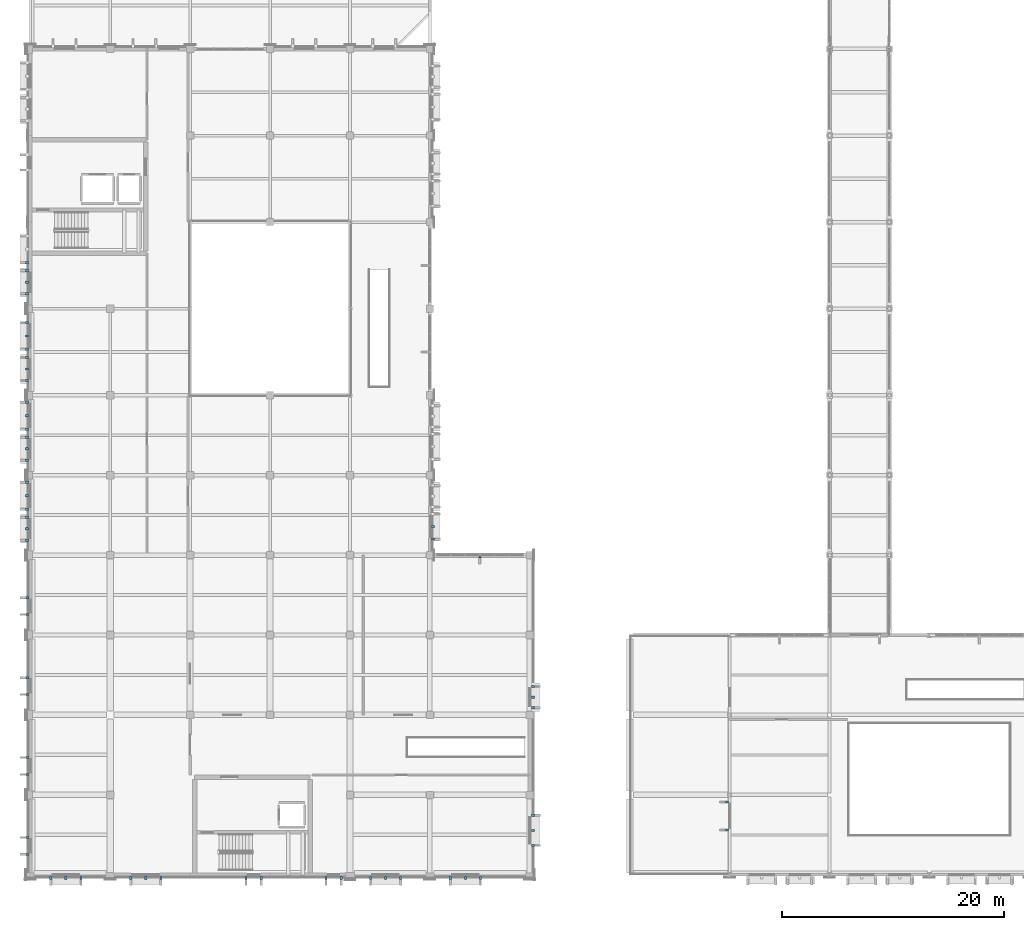
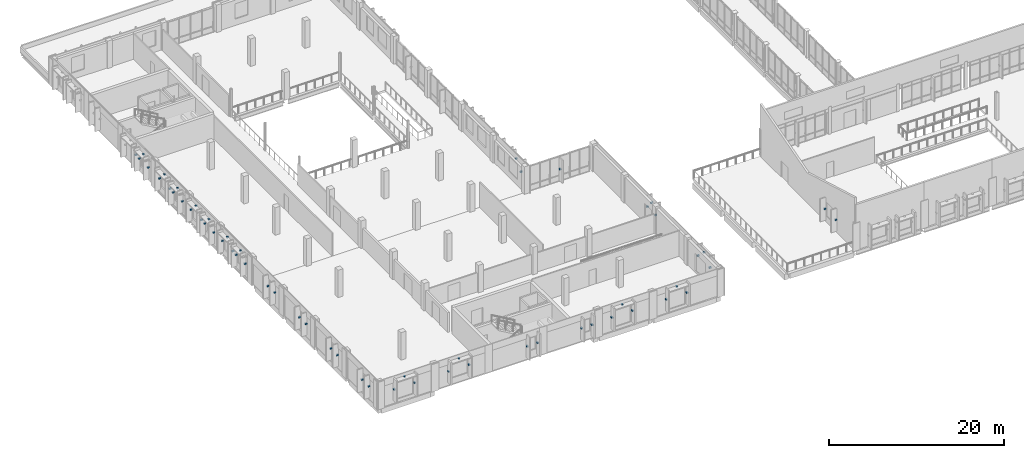
# One storey, part 65 of 85: 57 discrete accessories.
"""IFC4 building model written with IfcOpenShell, lengths in metres."""

from ifc_helpers import new_model, si_unit, direction, frame, origin, origin_2d, place, context, subcontext, project, spatial, rectangle, extrude, material, type_object, element, save


model = new_model("IFC4")

# Units and contexts
model_context = context("Model", 3, precision=1e-05, world=origin(), true_north=direction((0.0, 1.0)))
body_context = subcontext(model_context, "Body", "Model", "MODEL_VIEW")
ifc_project = project(units=[si_unit("LENGTHUNIT", "METRE"), si_unit("AREAUNIT", "SQUARE_METRE"), si_unit("VOLUMEUNIT", "CUBIC_METRE"), si_unit("PLANEANGLEUNIT", "RADIAN"), si_unit("MASSUNIT", "GRAM", prefix="KILO")], contexts=[model_context])

# Site, building, storey
site_placement = place(None, origin())
site = spatial("IfcSite", under=ifc_project, at=site_placement, CompositionType="ELEMENT")
building_placement = place(site_placement, origin())
building = spatial("IfcBuilding", under=site, at=building_placement, Name="Vervanel Yard Central Library", CompositionType="ELEMENT")
storey_placement = place(building_placement, frame((0.0, 0.0, 5.10009765625)))
storey = spatial("IfcBuildingStorey", under=building, at=storey_placement, Name="L01", CompositionType="ELEMENT", Elevation=5.10009765625)

# Discrete accessories
ifc_material = material(Name="Steel ASTM A572 Grade 50", Category="steel")
discrete_accessory_type = type_object("IfcDiscreteAccessoryType", Name="Stainless Solar Fin Fixing Bracket", PredefinedType="BRACKET", material=ifc_material)
for number, where, z_axis, x_axis, name in (
    (1, (-0.2900390625, 30.139892578125, 1.82470703125), (0.0, 0.0, 1.0), (0.0, 1.0, 0.0), "L01 Solar Fin Bracket 259"),
    (2, (-0.2900390625, 32.2099609375, 1.82470703125), (0.0, 0.0, 1.0), (0.0, 1.0, 0.0), "L01 Solar Fin Bracket 260"),
    (3, (-0.2900390625, 31.175048828125, 3.0), (0.0, 0.0, 1.0), (0.0, 1.0, 0.0), "L01 Sunhood Bracket 36"),
    (4, (-0.2900390625, 32.93994140625, 1.875), (0.0, 0.0, 1.0), (0.0, 1.0, 0.0), "L01 Solar Fin Bracket 261"),
    (5, (-0.2900390625, 35.360107421875, 1.875), (0.0, 0.0, 1.0), (0.0, 1.0, 0.0), "L01 Solar Fin Bracket 262"),
    (6, (-0.2900390625, 34.14990234375, 3.10009765625), (0.0, 0.0, 1.0), (0.0, 1.0, 0.0), "L01 Sunhood Bracket 37"),
    (7, (-0.2900390625, 37.340087890625, 1.82470703125), (0.0, 0.0, 1.0), (0.0, 1.0, 0.0), "L01 Solar Fin Bracket 263"),
    (8, (-0.2900390625, 39.409912109375, 1.82470703125), (0.0, 0.0, 1.0), (0.0, 1.0, 0.0), "L01 Solar Fin Bracket 264"),
    (9, (-0.2900390625, 38.375, 3.0), (0.0, 0.0, 1.0), (0.0, 1.0, 0.0), "L01 Sunhood Bracket 38"),
    (10, (-0.2900390625, 40.139892578125, 1.875), (0.0, 0.0, 1.0), (0.0, 1.0, 0.0), "L01 Solar Fin Bracket 265"),
    (11, (-0.2900390625, 42.56005859375, 1.875), (0.0, 0.0, 1.0), (0.0, 1.0, 0.0), "L01 Solar Fin Bracket 266"),
    (12, (-0.2900390625, 41.35009765625, 3.10009765625), (0.0, 0.0, 1.0), (0.0, 1.0, 0.0), "L01 Sunhood Bracket 39"),
    (13, (-0.2900390625, 44.5400390625, 1.82470703125), (0.0, 0.0, 1.0), (0.0, 1.0, 0.0), "L01 Solar Fin Bracket 267"),
    (14, (-0.2900390625, 46.610107421875, 1.82470703125), (0.0, 0.0, 1.0), (0.0, 1.0, 0.0), "L01 Solar Fin Bracket 268"),
    (15, (-0.2900390625, 45.574951171875, 3.0), (0.0, 0.0, 1.0), (0.0, 1.0, 0.0), "L01 Sunhood Bracket 40"),
    (16, (-0.2900390625, 47.340087890625, 1.875), (0.0, 0.0, 1.0), (0.0, 1.0, 0.0), "L01 Solar Fin Bracket 269"),
    (17, (-0.2900390625, 49.760009765625, 1.875), (0.0, 0.0, 1.0), (0.0, 1.0, 0.0), "L01 Solar Fin Bracket 270"),
    (18, (-0.2900390625, 48.550048828125, 3.10009765625), (0.0, 0.0, 1.0), (0.0, 1.0, 0.0), "L01 Sunhood Bracket 41"),
    (19, (-0.2900390625, 52.340087890625, 1.82470703125), (0.0, 0.0, 1.0), (0.0, 1.0, 0.0), "L01 Solar Fin Bracket 271"),
    (20, (-0.2900390625, 54.409912109375, 1.82470703125), (0.0, 0.0, 1.0), (0.0, 1.0, 0.0), "L01 Solar Fin Bracket 272"),
    (21, (-0.2900390625, 53.375, 3.0), (0.0, 0.0, 1.0), (0.0, 1.0, 0.0), "L01 Sunhood Bracket 42"),
    (22, (-0.2900390625, 55.139892578125, 1.875), (0.0, 0.0, 1.0), (0.0, 1.0, 0.0), "L01 Solar Fin Bracket 273"),
    (23, (36.27001953125, 30.239990234375, 1.7998046875), (0.0, 0.0, 1.0), (0.0, 1.0, 0.0), "L01 Solar Fin Bracket 281"),
    (24, (36.27001953125, 31.375, 2.94970703125), (0.0, 0.0, 1.0), (0.0, 1.0, 0.0), "L01 Sunhood Bracket 46"),
    (25, (62.75, 4.0400390625, 1.72509765625), (0.0, 0.0, 1.0), (0.0, 1.0, 0.0), "L01 Solar Fin Bracket 606"),
    (26, (62.75, 6.56005859375, 1.72509765625), (0.0, 0.0, 1.0), (0.0, 1.0, 0.0), "L01 Solar Fin Bracket 607"),
    (27, (1.840087890625, -0.2900390625, 1.94970703125), (0.0, 0.0, 1.0), (1.0, 0.0, 0.0), "L01 Solar Fin Bracket 634"),
    (28, (4.56005859375, -0.2900390625, 1.94970703125), (0.0, 0.0, 1.0), (1.0, 0.0, 0.0), "L01 Solar Fin Bracket 635"),
    (29, (3.199951171875, -0.2900390625, 3.25), (0.0, 0.0, 1.0), (1.0, 0.0, 0.0), "L01 Sunhood Bracket 128"),
    (30, (9.0400390625, -0.2900390625, 1.94970703125), (0.0, 0.0, 1.0), (1.0, 0.0, 0.0), "L01 Solar Fin Bracket 636"),
    (31, (11.760009765625, -0.2900390625, 1.94970703125), (0.0, 0.0, 1.0), (1.0, 0.0, 0.0), "L01 Solar Fin Bracket 637"),
    (32, (10.39990234375, -0.2900390625, 3.25), (0.0, 0.0, 1.0), (1.0, 0.0, 0.0), "L01 Sunhood Bracket 129"),
    (33, (19.43994140625, -0.2900390625, 1.82470703125), (0.0, 0.0, 1.0), (1.0, 0.0, 0.0), "L01 Solar Fin Bracket 638"),
    (34, (20.81005859375, -0.2900390625, 1.82470703125), (0.0, 0.0, 1.0), (1.0, 0.0, 0.0), "L01 Solar Fin Bracket 639"),
    (35, (26.639892578125, -0.2900390625, 1.82470703125), (0.0, 0.0, 1.0), (1.0, 0.0, 0.0), "L01 Solar Fin Bracket 640"),
    (36, (28.010009765625, -0.2900390625, 1.82470703125), (0.0, 0.0, 1.0), (1.0, 0.0, 0.0), "L01 Solar Fin Bracket 641"),
    (37, (30.639892578125, -0.2900390625, 1.94970703125), (0.0, 0.0, 1.0), (1.0, 0.0, 0.0), "L01 Solar Fin Bracket 642"),
    (38, (33.360107421875, -0.2900390625, 1.94970703125), (0.0, 0.0, 1.0), (1.0, 0.0, 0.0), "L01 Solar Fin Bracket 643"),
    (39, (32.0, -0.2900390625, 3.25), (0.0, 0.0, 1.0), (1.0, 0.0, 0.0), "L01 Sunhood Bracket 130"),
    (40, (37.840087890625, -0.2900390625, 1.94970703125), (0.0, 0.0, 1.0), (1.0, 0.0, 0.0), "L01 Solar Fin Bracket 644"),
    (41, (40.56005859375, -0.2900390625, 1.94970703125), (0.0, 0.0, 1.0), (1.0, 0.0, 0.0), "L01 Solar Fin Bracket 645"),
    (42, (39.199951171875, -0.2900390625, 3.25), (0.0, 0.0, 1.0), (1.0, 0.0, 0.0), "L01 Sunhood Bracket 131"),
    (43, (-0.27001953125, 1.840087890625, 1.85009765625), (0.0, 0.0, 1.0), (0.0, 1.0, 0.0), "L01 Solar Fin Bracket 646"),
    (44, (-0.27001953125, 3.360107421875, 1.85009765625), (0.0, 0.0, 1.0), (0.0, 1.0, 0.0), "L01 Solar Fin Bracket 647"),
    (45, (-0.27001953125, 9.0400390625, 1.85009765625), (0.0, 0.0, 1.0), (0.0, 1.0, 0.0), "L01 Solar Fin Bracket 648"),
    (46, (-0.27001953125, 10.56005859375, 1.85009765625), (0.0, 0.0, 1.0), (0.0, 1.0, 0.0), "L01 Solar Fin Bracket 649"),
    (47, (-0.27001953125, 16.239990234375, 1.85009765625), (0.0, 0.0, 1.0), (0.0, 1.0, 0.0), "L01 Solar Fin Bracket 650"),
    (48, (-0.27001953125, 17.760009765625, 1.85009765625), (0.0, 0.0, 1.0), (0.0, 1.0, 0.0), "L01 Solar Fin Bracket 651"),
    (49, (-0.27001953125, 23.43994140625, 1.85009765625), (0.0, 0.0, 1.0), (0.0, 1.0, 0.0), "L01 Solar Fin Bracket 652"),
    (50, (-0.27001953125, 24.9599609375, 1.85009765625), (0.0, 0.0, 1.0), (0.0, 1.0, 0.0), "L01 Solar Fin Bracket 653"),
    (51, (45.2900390625, 2.639892578125, 2.0), (0.0, 0.0, 1.0), (0.0, 1.0, 0.0), "L01 Solar Fin Bracket 654"),
    (52, (45.2900390625, 5.360107421875, 2.0), (0.0, 0.0, 1.0), (0.0, 1.0, 0.0), "L01 Solar Fin Bracket 655"),
    (53, (45.2900390625, 4.0, 3.2998046875), (0.0, 0.0, 1.0), (0.0, 1.0, 0.0), "L01 Sunhood Bracket 132"),
    (54, (45.2900390625, 15.0400390625, 1.82470703125), (0.0, 0.0, 1.0), (0.0, 1.0, 0.0), "L01 Solar Fin Bracket 656"),
    (55, (45.2900390625, 16.9599609375, 1.82470703125), (0.0, 0.0, 1.0), (0.0, 1.0, 0.0), "L01 Solar Fin Bracket 657"),
    (56, (45.2900390625, 16.0, 2.94970703125), (0.0, 0.0, 1.0), (0.0, 1.0, 0.0), "L01 Sunhood Bracket 133"),
    (57, (40.5, 28.669921875, 1.6650390625), (0.0, 0.0, 1.0), (1.0, 0.0, 0.0), "L01 Solar Fin Bracket 658"),
):
    element("IfcDiscreteAccessory", number, at=place(storey_placement, frame(where, z_axis=z_axis, x_axis=x_axis)), inside=storey, type_object=discrete_accessory_type, Name=name, PredefinedType="BRACKET", context=body_context, shape_type="SweptSolid", body=[
        extrude(rectangle(XDim=0.199951171875, YDim=0.280029296875, at=origin_2d()), origin(), (0.0, 0.0, 1.0), 0.199951171875),
    ])

save(model, "model.ifc")
